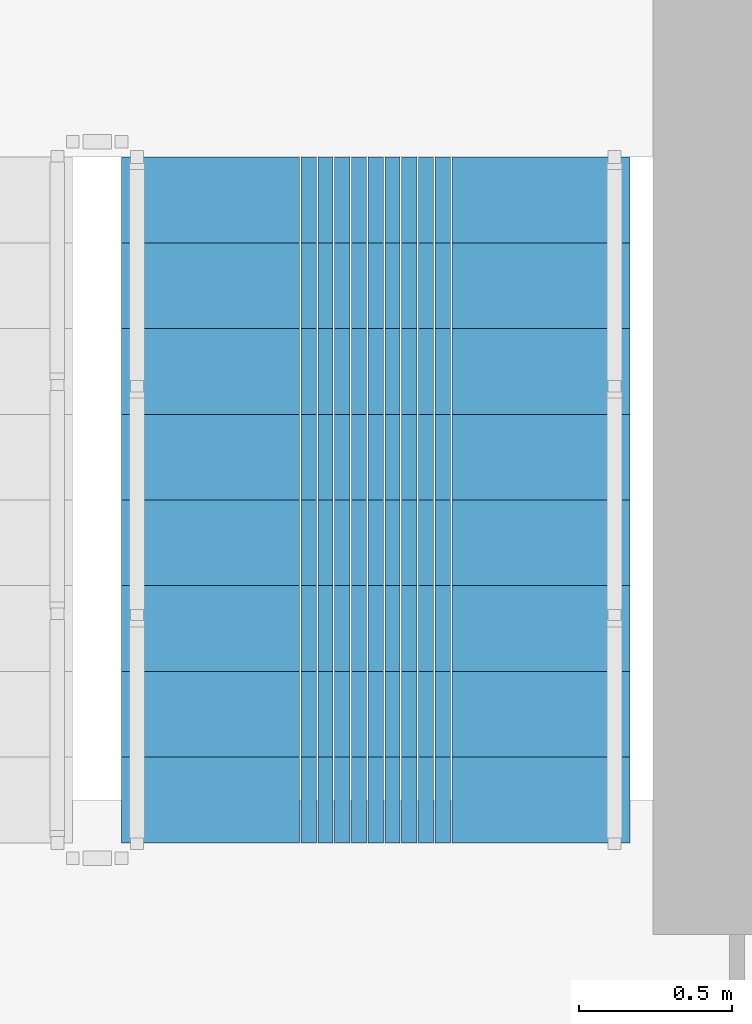
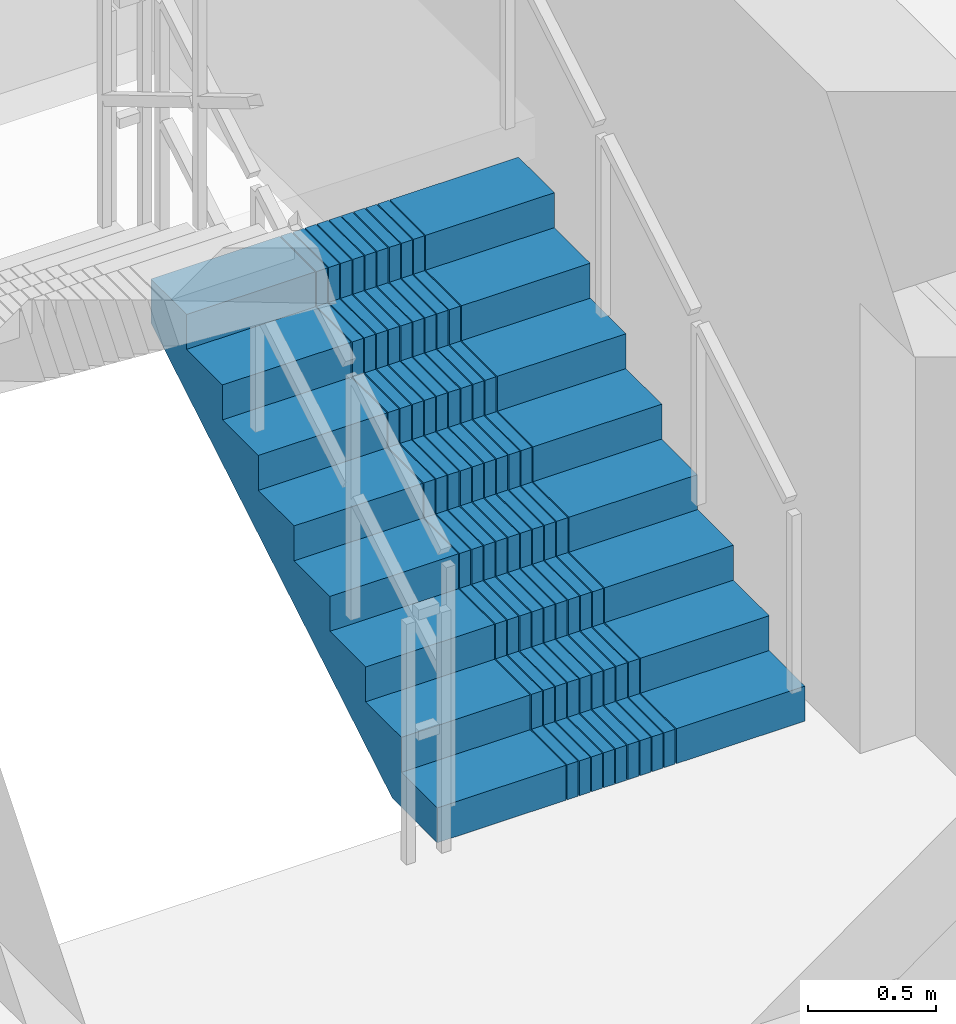
# One storey, part 22 of 26: 1 stair flight, 1 element without a shape of its own.
"""IFC4 building model written with IfcOpenShell, lengths in metres."""

from ifc_helpers import new_model, si_unit, direction, frame, origin, place, context, subcontext, project, spatial, polyline, outline, extrude, material, type_object, element, aggregate, save


model = new_model("IFC4")

# Units and contexts
model_context = context("Model", 3, precision=1e-05, world=origin(), true_north=direction((0.0, 1.0)))
body_context = subcontext(model_context, "Body", "Model", "MODEL_VIEW")
ifc_project = project(units=[si_unit("LENGTHUNIT", "METRE"), si_unit("AREAUNIT", "SQUARE_METRE"), si_unit("VOLUMEUNIT", "CUBIC_METRE"), si_unit("PLANEANGLEUNIT", "RADIAN"), si_unit("MASSUNIT", "GRAM", prefix="KILO")], contexts=[model_context])

# Site, building, storey
site_placement = place(None, origin())
site = spatial("IfcSite", under=ifc_project, at=site_placement, CompositionType="ELEMENT")
building_placement = place(site_placement, origin())
building = spatial("IfcBuilding", under=site, at=building_placement, Name="Saelheon Loggia Tower", CompositionType="ELEMENT")
storey_placement = place(building_placement, frame((0.0, 0.0, 89.85009765625)))
storey = spatial("IfcBuildingStorey", under=building, at=storey_placement, Name="L28", CompositionType="ELEMENT", Elevation=89.85009765625)

# Stair, stair flight
ifc_material = material(Name="Concrete C40/50", Category="concrete")
stair_type = type_object("IfcStairType", Name="Stair_Escape_Core", PredefinedType="HALF_TURN_STAIR", material=ifc_material)
stair_placement = place(storey_placement, origin())
stair = element("IfcStair", 1, at=stair_placement, inside=storey, type_object=stair_type, Name="L28 Special Escape Stair ST2", PredefinedType="HALF_TURN_STAIR")
stair_flight_type = type_object("IfcStairFlightType", Name="StairFlight_Tower_1660", PredefinedType="STRAIGHT", material=ifc_material)
stair_flight_placement = place(storey_placement, frame((43.320068359375, 30.449951171875, 0.0), z_axis=(0.0, 0.0, 1.0), x_axis=(0.0, 1.0, 0.0)))
stair_flight = element("IfcStairFlight", 2, at=stair_flight_placement, type_object=stair_flight_type, Name="ST2 flight 1", NumberOfRisers=9, NumberOfTreads=8, PredefinedType="STRAIGHT", RiserHeight=0.166666667, TreadLength=0.28, context=body_context, shape_type="SweptSolid", body=[
    extrude(outline(polyline([(0.0, 0.0), (0.0, 0.166748046875), (0.280029296875, 0.166748046875), (0.280029296875, 0.333251953125), (0.56005859375, 0.333251953125), (0.56005859375, 0.5), (0.840087890625, 0.5), (0.840087890625, 0.666748046875), (1.1201171875, 0.666748046875), (1.1201171875, 0.833251953125), (1.39990234375, 0.833251953125), (1.39990234375, 1.0), (1.679931640625, 1.0), (1.679931640625, 1.166748046875), (1.9599609375, 1.166748046875), (1.9599609375, 1.333251953125), (2.239990234375, 1.333251953125), (2.239990234375, 1.5), (2.239990234375, 1.1240234375), (0.351806640625, 0.0), (0.0, 0.0)])), frame((0.0, -0.2490234375, 0.0), z_axis=(0.0, -1.0, 0.0), x_axis=(1.0, 0.0, 0.0)), (0.0, 0.0, 1.0), 0.5810546875),
    extrude(outline(polyline([(0.0, 0.0), (0.0, 0.166748046875), (0.280029296875, 0.166748046875), (0.280029296875, 0.333251953125), (0.56005859375, 0.333251953125), (0.56005859375, 0.5), (0.840087890625, 0.5), (0.840087890625, 0.666748046875), (1.1201171875, 0.666748046875), (1.1201171875, 0.833251953125), (1.39990234375, 0.833251953125), (1.39990234375, 1.0), (1.679931640625, 1.0), (1.679931640625, 1.166748046875), (1.9599609375, 1.166748046875), (1.9599609375, 1.333251953125), (2.239990234375, 1.333251953125), (2.239990234375, 1.5), (2.239990234375, 1.1240234375), (0.351806640625, 0.0), (0.0, 0.0)])), frame((0.0, -0.194091796875, 0.0), z_axis=(0.0, -1.0, 0.0), x_axis=(1.0, 0.0, 0.0)), (0.0, 0.0, 1.0), 0.0498046875),
    extrude(outline(polyline([(0.0, 0.0), (0.0, 0.166748046875), (0.280029296875, 0.166748046875), (0.280029296875, 0.333251953125), (0.56005859375, 0.333251953125), (0.56005859375, 0.5), (0.840087890625, 0.5), (0.840087890625, 0.666748046875), (1.1201171875, 0.666748046875), (1.1201171875, 0.833251953125), (1.39990234375, 0.833251953125), (1.39990234375, 1.0), (1.679931640625, 1.0), (1.679931640625, 1.166748046875), (1.9599609375, 1.166748046875), (1.9599609375, 1.333251953125), (2.239990234375, 1.333251953125), (2.239990234375, 1.5), (2.239990234375, 1.1240234375), (0.351806640625, 0.0), (0.0, 0.0)])), frame((0.0, -0.139404296875, 0.0), z_axis=(0.0, -1.0, 0.0), x_axis=(1.0, 0.0, 0.0)), (0.0, 0.0, 1.0), 0.0498046875),
    extrude(outline(polyline([(0.0, 0.0), (0.0, 0.166748046875), (0.280029296875, 0.166748046875), (0.280029296875, 0.333251953125), (0.56005859375, 0.333251953125), (0.56005859375, 0.5), (0.840087890625, 0.5), (0.840087890625, 0.666748046875), (1.1201171875, 0.666748046875), (1.1201171875, 0.833251953125), (1.39990234375, 0.833251953125), (1.39990234375, 1.0), (1.679931640625, 1.0), (1.679931640625, 1.166748046875), (1.9599609375, 1.166748046875), (1.9599609375, 1.333251953125), (2.239990234375, 1.333251953125), (2.239990234375, 1.5), (2.239990234375, 1.1240234375), (0.351806640625, 0.0), (0.0, 0.0)])), frame((0.0, -0.084716796875, 0.0), z_axis=(0.0, -1.0, 0.0), x_axis=(1.0, 0.0, 0.0)), (0.0, 0.0, 1.0), 0.0498046875),
    extrude(outline(polyline([(0.0, 0.0), (0.0, 0.166748046875), (0.280029296875, 0.166748046875), (0.280029296875, 0.333251953125), (0.56005859375, 0.333251953125), (0.56005859375, 0.5), (0.840087890625, 0.5), (0.840087890625, 0.666748046875), (1.1201171875, 0.666748046875), (1.1201171875, 0.833251953125), (1.39990234375, 0.833251953125), (1.39990234375, 1.0), (1.679931640625, 1.0), (1.679931640625, 1.166748046875), (1.9599609375, 1.166748046875), (1.9599609375, 1.333251953125), (2.239990234375, 1.333251953125), (2.239990234375, 1.5), (2.239990234375, 1.1240234375), (0.351806640625, 0.0), (0.0, 0.0)])), frame((0.0, -0.02978515625, 0.0), z_axis=(0.0, -1.0, 0.0), x_axis=(1.0, 0.0, 0.0)), (0.0, 0.0, 1.0), 0.0498046875),
    extrude(outline(polyline([(0.0, 0.0), (0.0, 0.166748046875), (0.280029296875, 0.166748046875), (0.280029296875, 0.333251953125), (0.56005859375, 0.333251953125), (0.56005859375, 0.5), (0.840087890625, 0.5), (0.840087890625, 0.666748046875), (1.1201171875, 0.666748046875), (1.1201171875, 0.833251953125), (1.39990234375, 0.833251953125), (1.39990234375, 1.0), (1.679931640625, 1.0), (1.679931640625, 1.166748046875), (1.9599609375, 1.166748046875), (1.9599609375, 1.333251953125), (2.239990234375, 1.333251953125), (2.239990234375, 1.5), (2.239990234375, 1.1240234375), (0.351806640625, 0.0), (0.0, 0.0)])), frame((0.0, 0.02490234375, 0.0), z_axis=(0.0, -1.0, 0.0), x_axis=(1.0, 0.0, 0.0)), (0.0, 0.0, 1.0), 0.0498046875),
    extrude(outline(polyline([(0.0, 0.0), (0.0, 0.166748046875), (0.280029296875, 0.166748046875), (0.280029296875, 0.333251953125), (0.56005859375, 0.333251953125), (0.56005859375, 0.5), (0.840087890625, 0.5), (0.840087890625, 0.666748046875), (1.1201171875, 0.666748046875), (1.1201171875, 0.833251953125), (1.39990234375, 0.833251953125), (1.39990234375, 1.0), (1.679931640625, 1.0), (1.679931640625, 1.166748046875), (1.9599609375, 1.166748046875), (1.9599609375, 1.333251953125), (2.239990234375, 1.333251953125), (2.239990234375, 1.5), (2.239990234375, 1.1240234375), (0.351806640625, 0.0), (0.0, 0.0)])), frame((0.0, 0.07958984375, 0.0), z_axis=(0.0, -1.0, 0.0), x_axis=(1.0, 0.0, 0.0)), (0.0, 0.0, 1.0), 0.0498046875),
    extrude(outline(polyline([(0.0, 0.0), (0.0, 0.166748046875), (0.280029296875, 0.166748046875), (0.280029296875, 0.333251953125), (0.56005859375, 0.333251953125), (0.56005859375, 0.5), (0.840087890625, 0.5), (0.840087890625, 0.666748046875), (1.1201171875, 0.666748046875), (1.1201171875, 0.833251953125), (1.39990234375, 0.833251953125), (1.39990234375, 1.0), (1.679931640625, 1.0), (1.679931640625, 1.166748046875), (1.9599609375, 1.166748046875), (1.9599609375, 1.333251953125), (2.239990234375, 1.333251953125), (2.239990234375, 1.5), (2.239990234375, 1.1240234375), (0.351806640625, 0.0), (0.0, 0.0)])), frame((0.0, 0.134521484375, 0.0), z_axis=(0.0, -1.0, 0.0), x_axis=(1.0, 0.0, 0.0)), (0.0, 0.0, 1.0), 0.0498046875),
    extrude(outline(polyline([(0.0, 0.0), (0.0, 0.166748046875), (0.280029296875, 0.166748046875), (0.280029296875, 0.333251953125), (0.56005859375, 0.333251953125), (0.56005859375, 0.5), (0.840087890625, 0.5), (0.840087890625, 0.666748046875), (1.1201171875, 0.666748046875), (1.1201171875, 0.833251953125), (1.39990234375, 0.833251953125), (1.39990234375, 1.0), (1.679931640625, 1.0), (1.679931640625, 1.166748046875), (1.9599609375, 1.166748046875), (1.9599609375, 1.333251953125), (2.239990234375, 1.333251953125), (2.239990234375, 1.5), (2.239990234375, 1.1240234375), (0.351806640625, 0.0), (0.0, 0.0)])), frame((0.0, 0.189208984375, 0.0), z_axis=(0.0, -1.0, 0.0), x_axis=(1.0, 0.0, 0.0)), (0.0, 0.0, 1.0), 0.0498046875),
    extrude(outline(polyline([(0.0, 0.0), (0.0, 0.166748046875), (0.280029296875, 0.166748046875), (0.280029296875, 0.333251953125), (0.56005859375, 0.333251953125), (0.56005859375, 0.5), (0.840087890625, 0.5), (0.840087890625, 0.666748046875), (1.1201171875, 0.666748046875), (1.1201171875, 0.833251953125), (1.39990234375, 0.833251953125), (1.39990234375, 1.0), (1.679931640625, 1.0), (1.679931640625, 1.166748046875), (1.9599609375, 1.166748046875), (1.9599609375, 1.333251953125), (2.239990234375, 1.333251953125), (2.239990234375, 1.5), (2.239990234375, 1.1240234375), (0.351806640625, 0.0), (0.0, 0.0)])), frame((0.0, 0.243896484375, 0.0), z_axis=(0.0, -1.0, 0.0), x_axis=(1.0, 0.0, 0.0)), (0.0, 0.0, 1.0), 0.0498046875),
    extrude(outline(polyline([(0.0, 0.0), (0.0, 0.166748046875), (0.280029296875, 0.166748046875), (0.280029296875, 0.333251953125), (0.56005859375, 0.333251953125), (0.56005859375, 0.5), (0.840087890625, 0.5), (0.840087890625, 0.666748046875), (1.1201171875, 0.666748046875), (1.1201171875, 0.833251953125), (1.39990234375, 0.833251953125), (1.39990234375, 1.0), (1.679931640625, 1.0), (1.679931640625, 1.166748046875), (1.9599609375, 1.166748046875), (1.9599609375, 1.333251953125), (2.239990234375, 1.333251953125), (2.239990234375, 1.5), (2.239990234375, 1.1240234375), (0.351806640625, 0.0), (0.0, 0.0)])), frame((0.0, 0.830078125, 0.0), z_axis=(0.0, -1.0, 0.0), x_axis=(1.0, 0.0, 0.0)), (0.0, 0.0, 1.0), 0.5810546875),
])
aggregate(stair, [stair_flight])

save(model, "model.ifc")
